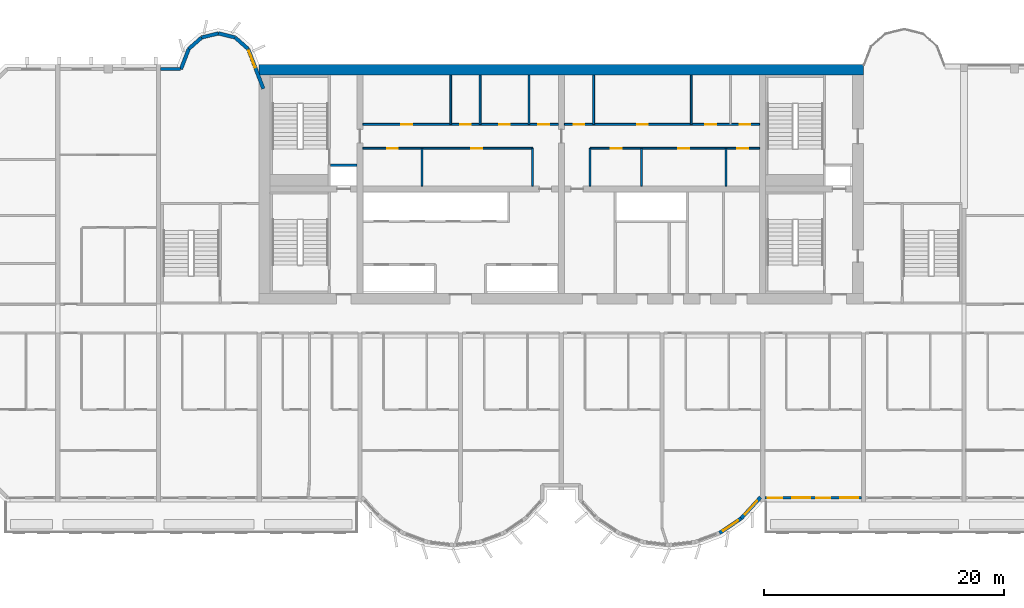
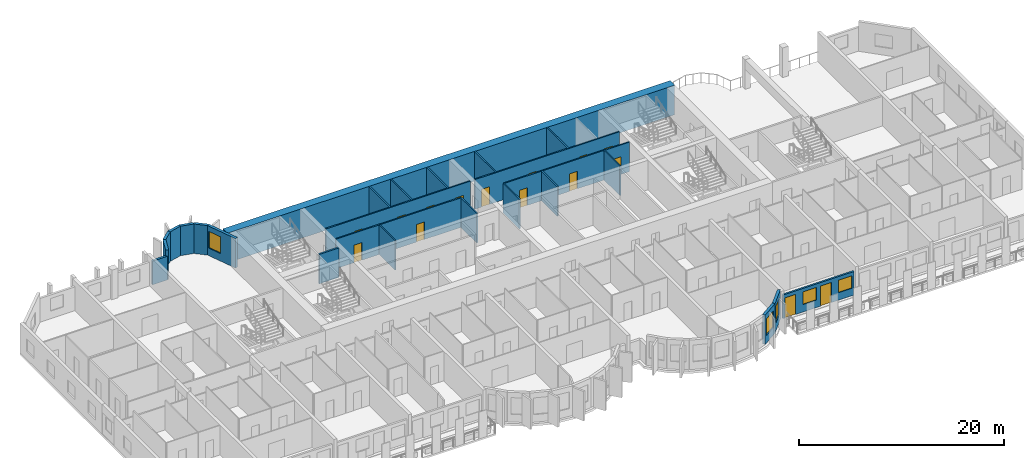
# One storey, part 8 of 15: 26 walls, 15 doors, 5 windows, 20 openings.
"""IFC4 building model written with IfcOpenShell, lengths in metres."""

from ifc_helpers import new_model, si_unit, direction, frame, frame_2d, origin, place, context, subcontext, project, spatial, rectangle, extrude, source, transform, mapped, material, layer, layer_set, type_object, element, fill, save


model = new_model("IFC4")

# Units and contexts
model_context = context("Model", 3, precision=1e-05, world=origin(), true_north=direction((0.0, 1.0)))
body_context = subcontext(model_context, "Body", "Model", "MODEL_VIEW")
ifc_project = project(units=[si_unit("LENGTHUNIT", "METRE"), si_unit("AREAUNIT", "SQUARE_METRE"), si_unit("VOLUMEUNIT", "CUBIC_METRE"), si_unit("PLANEANGLEUNIT", "RADIAN"), si_unit("MASSUNIT", "GRAM", prefix="KILO")], contexts=[model_context])

# Site, building, storey
site_placement = place(None, origin())
site = spatial("IfcSite", under=ifc_project, at=site_placement, CompositionType="ELEMENT")
building_placement = place(site_placement, origin())
building = spatial("IfcBuilding", under=site, at=building_placement, Name="Vanashikhar Sky Hotel", CompositionType="ELEMENT")
storey_placement = place(building_placement, frame((0.0, 0.0, 137.0)))
storey = spatial("IfcBuildingStorey", under=building, at=storey_placement, Name="L33", CompositionType="ELEMENT", Elevation=137.0)

# Wall
ifc_material_1 = material(Name="Concrete M70", Category="concrete")
ifc_layer_1 = layer(ifc_material_1, 0.89990234375)
ifc_layer_set_1 = layer_set([ifc_layer_1], Name="RC core shell wall 900 Concrete M70")
wall_type_1 = type_object("IfcWallType", Name="RC core shell wall 900 Concrete M70", PredefinedType="SHEAR", material=ifc_layer_set_1)
shared_shape_1 = source(origin(), body_context, "Body", "SweptSolid", [
    extrude(rectangle(XDim=50.400146484375, YDim=0.89990234375, at=frame_2d((25.2001953125, 0.0))), origin(), (0.0, 0.0, 1.0), 3.52001953125),
])
wall_1_placement = place(storey_placement, frame((25.199951171875, 41.550048828125, 0.0), z_axis=(0.0, 0.0, 1.0), x_axis=(1.0, 0.0, 0.0)))
element("IfcWall", 1, at=wall_1_placement, inside=storey, type_object=wall_type_1, Name="KW-L33-KN", PredefinedType="SHEAR", context=body_context, shape_type="MappedRepresentation", body=[
    mapped(shared_shape_1, transform((0.0, 0.0, 0.0), scale=1.0)),
])

# Wall, opening, window
ifc_material_2 = material(Name="Concrete M50", Category="concrete")
ifc_layer_2 = layer(ifc_material_2, 0.300048828125)
ifc_layer_set_2 = layer_set([ifc_layer_2], Name="Lobe wall 300")
wall_type_2 = type_object("IfcWallType", Name="Lobe wall 300", PredefinedType="SOLIDWALL", material=ifc_layer_set_2)
shared_shape_2 = source(origin(), body_context, "Body", "SweptSolid", [
    extrude(rectangle(XDim=2.398193359375, YDim=0.300048828125, at=frame_2d((1.19921875, 0.0))), origin(), (0.0, 0.0, 1.0), 3.52001953125),
])
wall_2_placement = place(storey_placement, frame((65.404296875, 4.13134765625, 0.0), z_axis=(0.0, 0.0, 1.0), x_axis=(0.675374189419, 0.737475222815, 0.0)))
wall_2 = element("IfcWall", 2, at=wall_2_placement, inside=storey, type_object=wall_type_2, Name="Lobe wall", PredefinedType="SOLIDWALL", context=body_context, shape_type="MappedRepresentation", body=[
    mapped(shared_shape_2, transform((0.0, 0.0, 0.0), scale=1.0)),
])
shared_shape_3 = source(origin(), body_context, "Body", "SweptSolid", [
    extrude(rectangle(XDim=1.5, YDim=2.0, at=frame_2d((0.75, 1.0))), frame((0.0, 0.16015625, 0.0), z_axis=(0.0, -1.0, 0.0), x_axis=(1.0, 0.0, 0.0)), (0.0, 0.0, 1.0), 0.320068359375),
])
opening_1_placement = place(wall_2_placement, frame((0.44921875, 0.0, 0.89990234375)))
opening_1 = element("IfcOpeningElement", 3, at=opening_1_placement, cuts=wall_2, Name="Opening WN-2", PredefinedType="OPENING", context=body_context, shape_type="MappedRepresentation", body=[
    mapped(shared_shape_3, transform((0.0, 0.0, 0.0), scale=1.0)),
])
ifc_material_3 = material(Name="Glass", Category="glass")
window_type_1 = type_object("IfcWindowType", Name="Lobe window 1500 x 2000", PartitioningType="SINGLE_PANEL", PredefinedType="WINDOW", material=ifc_material_3)
shared_shape_4 = source(origin(), body_context, "Body", "SweptSolid", [
    extrude(rectangle(XDim=1.5, YDim=2.0, at=frame_2d((0.75, 1.0))), frame((0.0, 0.030029296875, 0.0), z_axis=(0.0, -1.0, 0.0), x_axis=(1.0, 0.0, 0.0)), (0.0, 0.0, 1.0), 0.06005859375),
])
window_1_placement = place(opening_1_placement, origin())
window_1 = element("IfcWindow", 4, at=window_1_placement, inside=storey, type_object=window_type_1, Name="Window WN-2", OverallHeight=2.0, OverallWidth=1.5, PartitioningType="SINGLE_PANEL", PredefinedType="WINDOW", context=body_context, shape_type="MappedRepresentation", body=[
    mapped(shared_shape_4, transform((0.0, 0.0, 0.0), scale=1.0)),
])
fill(opening_1, window_1)

shared_shape_5 = source(origin(), body_context, "Body", "SweptSolid", [
    extrude(rectangle(XDim=2.17578125, YDim=0.300048828125, at=frame_2d((1.087890625, 0.0))), origin(), (0.0, 0.0, 1.0), 3.52001953125),
])
wall_3_placement = place(storey_placement, frame((63.59912109375, 2.91650390625, 0.0), z_axis=(0.0, 0.0, 1.0), x_axis=(0.829625727223, 0.558319937607, 0.0)))
wall_3 = element("IfcWall", 5, at=wall_3_placement, inside=storey, type_object=wall_type_2, Name="Lobe wall", PredefinedType="SOLIDWALL", context=body_context, shape_type="MappedRepresentation", body=[
    mapped(shared_shape_5, transform((0.0, 0.0, 0.0), scale=1.0)),
])
opening_2_placement = place(wall_3_placement, frame((0.337890625, 0.0, 0.89990234375)))
opening_2 = element("IfcOpeningElement", 6, at=opening_2_placement, cuts=wall_3, Name="Opening WN-2", PredefinedType="OPENING", context=body_context, shape_type="MappedRepresentation", body=[
    mapped(shared_shape_3, transform((0.0, 0.0, 0.0), scale=1.0)),
])
window_2_placement = place(opening_2_placement, origin())
window_2 = element("IfcWindow", 7, at=window_2_placement, inside=storey, type_object=window_type_1, Name="Window WN-2", OverallHeight=2.0, OverallWidth=1.5, PartitioningType="SINGLE_PANEL", PredefinedType="WINDOW", context=body_context, shape_type="MappedRepresentation", body=[
    mapped(shared_shape_4, transform((0.0, 0.0, 0.0), scale=1.0)),
])
fill(opening_2, window_2)

shared_shape_6 = source(origin(), body_context, "Body", "SweptSolid", [
    extrude(rectangle(XDim=3.55908203125, YDim=0.300048828125, at=frame_2d((1.779541015625, 0.0))), origin(), (0.0, 0.0, 1.0), 3.52001953125),
])
wall_4_placement = place(storey_placement, frame((25.550048828125, 39.968505859375, 0.0), z_axis=(0.0, 0.0, 1.0), x_axis=(-0.35779745313, 0.933799219604, 0.0)))
wall_4 = element("IfcWall", 8, at=wall_4_placement, inside=storey, type_object=wall_type_2, Name="Lobe wall", PredefinedType="SOLIDWALL", context=body_context, shape_type="MappedRepresentation", body=[
    mapped(shared_shape_6, transform((0.0, 0.0, 0.0), scale=1.0)),
])
opening_3_placement = place(wall_4_placement, frame((1.9033203125, 0.0, 0.89990234375)))
opening_3 = element("IfcOpeningElement", 9, at=opening_3_placement, cuts=wall_4, Name="Opening WN-2", PredefinedType="OPENING", context=body_context, shape_type="MappedRepresentation", body=[
    mapped(shared_shape_3, transform((0.0, 0.0, 0.0), scale=1.0)),
])
window_3_placement = place(opening_3_placement, origin())
window_3 = element("IfcWindow", 10, at=window_3_placement, inside=storey, type_object=window_type_1, Name="Window WN-2", OverallHeight=2.0, OverallWidth=1.5, PartitioningType="SINGLE_PANEL", PredefinedType="WINDOW", context=body_context, shape_type="MappedRepresentation", body=[
    mapped(shared_shape_4, transform((0.0, 0.0, 0.0), scale=1.0)),
])
fill(opening_3, window_3)

# Walls
shared_shape_7 = source(origin(), body_context, "Body", "SweptSolid", [
    extrude(rectangle(XDim=1.440185546875, YDim=0.300048828125, at=frame_2d((0.72021484375, 0.0))), origin(), (0.0, 0.0, 1.0), 3.52001953125),
])
wall_5_placement = place(storey_placement, frame((24.276611328125, 43.2919921875, 0.0), z_axis=(0.0, 0.0, 1.0), x_axis=(-0.749649827867, 0.661834673902, 0.0)))
element("IfcWall", 11, at=wall_5_placement, inside=storey, type_object=wall_type_2, Name="Lobe wall", PredefinedType="SOLIDWALL", context=body_context, shape_type="MappedRepresentation", body=[
    mapped(shared_shape_7, transform((0.0, 0.0, 0.0), scale=1.0)),
])
shared_shape_8 = source(origin(), body_context, "Body", "SweptSolid", [
    extrude(rectangle(XDim=1.4384765625, YDim=0.300048828125, at=frame_2d((0.71923828125, 0.0))), origin(), (0.0, 0.0, 1.0), 3.52001953125),
])
wall_6_placement = place(storey_placement, frame((23.197021484375, 44.2451171875, 0.0), z_axis=(0.0, 0.0, 1.0), x_axis=(-0.971152283879, 0.238460146601, 0.0)))
element("IfcWall", 12, at=wall_6_placement, inside=storey, type_object=wall_type_2, Name="Lobe wall", PredefinedType="SOLIDWALL", context=body_context, shape_type="MappedRepresentation", body=[
    mapped(shared_shape_8, transform((0.0, 0.0, 0.0), scale=1.0)),
])
shared_shape_9 = source(origin(), body_context, "Body", "SweptSolid", [
    extrude(rectangle(XDim=1.438720703125, YDim=0.300048828125, at=frame_2d((0.71923828125, 0.0))), origin(), (0.0, 0.0, 1.0), 3.52001953125),
])
wall_7_placement = place(storey_placement, frame((21.800048828125, 44.588134765625, 0.0), z_axis=(0.0, 0.0, 1.0), x_axis=(-0.971161932466, -0.238420848351, 0.0)))
element("IfcWall", 13, at=wall_7_placement, inside=storey, type_object=wall_type_2, Name="Lobe wall", PredefinedType="SOLIDWALL", context=body_context, shape_type="MappedRepresentation", body=[
    mapped(shared_shape_9, transform((0.0, 0.0, 0.0), scale=1.0)),
])
shared_shape_10 = source(origin(), body_context, "Body", "SweptSolid", [
    extrude(rectangle(XDim=1.43994140625, YDim=0.300048828125, at=frame_2d((0.719970703125, 0.0))), origin(), (0.0, 0.0, 1.0), 3.52001953125),
])
wall_8_placement = place(storey_placement, frame((20.40283203125, 44.2451171875, 0.0), z_axis=(0.0, 0.0, 1.0), x_axis=(-0.74957555648, -0.661918790432, 0.0)))
element("IfcWall", 14, at=wall_8_placement, inside=storey, type_object=wall_type_2, Name="Lobe wall", PredefinedType="SOLIDWALL", context=body_context, shape_type="MappedRepresentation", body=[
    mapped(shared_shape_10, transform((0.0, 0.0, 0.0), scale=1.0)),
])
shared_shape_11 = source(origin(), body_context, "Body", "SweptSolid", [
    extrude(rectangle(XDim=1.81201171875, YDim=0.300048828125, at=frame_2d((0.906005859375, 0.0))), origin(), (0.0, 0.0, 1.0), 3.52001953125),
])
wall_9_placement = place(storey_placement, frame((19.323486328125, 43.2919921875, 0.0), z_axis=(0.0, 0.0, 1.0), x_axis=(-0.357877270961, -0.93376863244, 0.0)))
element("IfcWall", 15, at=wall_9_placement, inside=storey, type_object=wall_type_2, Name="Lobe wall", PredefinedType="SOLIDWALL", context=body_context, shape_type="MappedRepresentation", body=[
    mapped(shared_shape_11, transform((0.0, 0.0, 0.0), scale=1.0)),
])

# Wall, openings, windows, doors
ifc_layer_3 = layer(ifc_material_2, 0.199951171875)
ifc_layer_set_3 = layer_set([ifc_layer_3], Name="Front window wall 200")
wall_type_3 = type_object("IfcWallType", Name="Front window wall 200", PredefinedType="SOLIDWALL", material=ifc_layer_set_3)
shared_shape_12 = source(origin(), body_context, "Body", "SweptSolid", [
    extrude(rectangle(XDim=8.050048828125, YDim=0.199951171875, at=frame_2d((4.02490234375, 0.0))), origin(), (0.0, 0.0, 1.0), 2.820068359375),
])
wall_10_placement = place(storey_placement, frame((67.375, 5.85009765625, 0.0), z_axis=(0.0, 0.0, 1.0), x_axis=(1.0, 0.0, 0.0)))
wall_10 = element("IfcWall", 16, at=wall_10_placement, inside=storey, type_object=wall_type_3, Name="Front window wall", PredefinedType="SOLIDWALL", context=body_context, shape_type="MappedRepresentation", body=[
    mapped(shared_shape_12, transform((0.0, 0.0, 0.0), scale=1.0)),
])
shared_shape_13 = source(origin(), body_context, "Body", "SweptSolid", [
    extrude(rectangle(XDim=1.199951171875, YDim=2.39990234375, at=frame_2d((0.60009765625, 1.199951171875))), frame((0.0, 0.10986328125, 0.0), z_axis=(0.0, -1.0, 0.0), x_axis=(1.0, 0.0, 0.0)), (0.0, 0.0, 1.0), 0.219970703125),
])
opening_4_placement = place(wall_10_placement, frame((0.25, 0.0, 0.0)))
opening_4 = element("IfcOpeningElement", 17, at=opening_4_placement, cuts=wall_10, Name="Opening BD-08", PredefinedType="OPENING", context=body_context, shape_type="MappedRepresentation", body=[
    mapped(shared_shape_13, transform((0.0, 0.0, 0.0), scale=1.0)),
])
shared_shape_14 = source(origin(), body_context, "Body", "SweptSolid", [
    extrude(rectangle(XDim=1.5, YDim=1.5, at=frame_2d((0.75, 0.75))), frame((0.0, 0.10986328125, 0.0), z_axis=(0.0, -1.0, 0.0), x_axis=(1.0, 0.0, 0.0)), (0.0, 0.0, 1.0), 0.219970703125),
])
opening_5_placement = place(wall_10_placement, frame((2.27490234375, 0.0, 0.89990234375)))
opening_5 = element("IfcOpeningElement", 18, at=opening_5_placement, cuts=wall_10, Name="Opening WN-1", PredefinedType="OPENING", context=body_context, shape_type="MappedRepresentation", body=[
    mapped(shared_shape_14, transform((0.0, 0.0, 0.0), scale=1.0)),
])
opening_6_placement = place(wall_10_placement, frame((4.27490234375, 0.0, 0.0)))
opening_6 = element("IfcOpeningElement", 19, at=opening_6_placement, cuts=wall_10, Name="Opening BD-09", PredefinedType="OPENING", context=body_context, shape_type="MappedRepresentation", body=[
    mapped(shared_shape_13, transform((0.0, 0.0, 0.0), scale=1.0)),
])
opening_7_placement = place(wall_10_placement, frame((6.300048828125, 0.0, 0.89990234375)))
opening_7 = element("IfcOpeningElement", 20, at=opening_7_placement, cuts=wall_10, Name="Opening WN-1", PredefinedType="OPENING", context=body_context, shape_type="MappedRepresentation", body=[
    mapped(shared_shape_14, transform((0.0, 0.0, 0.0), scale=1.0)),
])
window_type_2 = type_object("IfcWindowType", Name="Window 1500 x 1500", PartitioningType="SINGLE_PANEL", PredefinedType="WINDOW", material=ifc_material_3)
shared_shape_15 = source(origin(), body_context, "Body", "SweptSolid", [
    extrude(rectangle(XDim=1.5, YDim=1.5, at=frame_2d((0.75, 0.75))), frame((0.0, 0.030029296875, 0.0), z_axis=(0.0, -1.0, 0.0), x_axis=(1.0, 0.0, 0.0)), (0.0, 0.0, 1.0), 0.06005859375),
])
window_4_placement = place(opening_5_placement, origin())
window_4 = element("IfcWindow", 21, at=window_4_placement, inside=storey, type_object=window_type_2, Name="Window WN-1", OverallHeight=1.5, OverallWidth=1.5, PartitioningType="SINGLE_PANEL", PredefinedType="WINDOW", context=body_context, shape_type="MappedRepresentation", body=[
    mapped(shared_shape_15, transform((0.0, 0.0, 0.0), scale=1.0)),
])
fill(opening_5, window_4)
window_5_placement = place(opening_7_placement, origin())
window_5 = element("IfcWindow", 22, at=window_5_placement, inside=storey, type_object=window_type_2, Name="Window WN-1", OverallHeight=1.5, OverallWidth=1.5, PartitioningType="SINGLE_PANEL", PredefinedType="WINDOW", context=body_context, shape_type="MappedRepresentation", body=[
    mapped(shared_shape_15, transform((0.0, 0.0, 0.0), scale=1.0)),
])
fill(opening_7, window_5)
ifc_material_4 = material(Name="Aluminium", Category="aluminium")
door_type_1 = type_object("IfcDoorType", Name="Balcony sliding door 1200 x 2400", OperationType="NOTDEFINED", PredefinedType="DOOR", material=ifc_material_4)
shared_shape_16 = source(origin(), body_context, "Body", "SweptSolid", [
    extrude(rectangle(XDim=1.199951171875, YDim=2.39990234375, at=frame_2d((0.60009765625, 1.199951171875))), frame((0.0, 0.02490234375, 0.0), z_axis=(0.0, -1.0, 0.0), x_axis=(1.0, 0.0, 0.0)), (0.0, 0.0, 1.0), 0.050048828125),
])
door_1_placement = place(opening_4_placement, origin())
door_1 = element("IfcDoor", 23, at=door_1_placement, inside=storey, type_object=door_type_1, Name="Balcony sliding door", OperationType="SLIDING_TO_RIGHT", OverallHeight=2.39990234375, OverallWidth=1.199951171875, PredefinedType="DOOR", context=body_context, shape_type="MappedRepresentation", body=[
    mapped(shared_shape_16, transform((0.0, 0.0, 0.0), scale=1.0)),
])
fill(opening_4, door_1)
door_2_placement = place(opening_6_placement, origin())
door_2 = element("IfcDoor", 24, at=door_2_placement, inside=storey, type_object=door_type_1, Name="Balcony sliding door", OperationType="SLIDING_TO_LEFT", OverallHeight=2.39990234375, OverallWidth=1.199951171875, PredefinedType="DOOR", context=body_context, shape_type="MappedRepresentation", body=[
    mapped(shared_shape_16, transform((0.0, 0.0, 0.0), scale=1.0)),
])
fill(opening_6, door_2)

# Walls
ifc_layer_4 = layer(ifc_material_2, 0.25)
ifc_layer_set_4 = layer_set([ifc_layer_4], Name="Rear and end board-marked wall 250")
wall_type_4 = type_object("IfcWallType", Name="Rear and end board-marked wall 250", PredefinedType="SOLIDWALL", material=ifc_layer_set_4)
shared_shape_17 = source(origin(), body_context, "Body", "SweptSolid", [
    extrude(rectangle(XDim=1.682861328125, YDim=0.25, at=frame_2d((0.84130859375, 0.0))), origin(), (0.0, 0.0, 1.0), 2.820068359375),
])
wall_11_placement = place(storey_placement, frame((18.657958984375, 41.625, 0.0), z_axis=(0.0, 0.0, 1.0), x_axis=(-1.0, 0.0, 0.0)))
element("IfcWall", 25, at=wall_11_placement, inside=storey, type_object=wall_type_4, Name="Rear board-marked wall", PredefinedType="SOLIDWALL", context=body_context, shape_type="MappedRepresentation", body=[
    mapped(shared_shape_17, transform((0.0, 0.0, 0.0), scale=1.0)),
])
ifc_material_5 = material(Name="Gypsum board partition")
ifc_layer_5 = layer(ifc_material_5, 0.14990234375)
ifc_layer_set_5 = layer_set([ifc_layer_5], Name="Service partition 150")
wall_type_5 = type_object("IfcWallType", Name="Service partition 150", PredefinedType="PARTITIONING", material=ifc_layer_set_5)
shared_shape_18 = source(origin(), body_context, "Body", "SweptSolid", [
    extrude(rectangle(XDim=3.14990234375, YDim=0.14990234375, at=frame_2d((1.574951171875, 0.0))), origin(), (0.0, 0.0, 1.0), 3.52001953125),
])
for number, where, z_axis, x_axis, name in (
    (26, (48.0, 31.85009765625, 0.0), (0.0, 0.0, 1.0), (0.0, 1.0, 0.0), "Service partition 150"),
    (27, (38.77587890625, 31.85009765625, 0.0), (0.0, 0.0, 1.0), (0.0, 1.0, 0.0), "Service partition 150"),
    (28, (52.800048828125, 31.85009765625, 0.0), (0.0, 0.0, 1.0), (0.0, 1.0, 0.0), "Service partition 150"),
    (29, (64.135009765625, 31.85009765625, 0.0), (0.0, 0.0, 1.0), (0.0, 1.0, 0.0), "Service partition 150"),
    (30, (57.096923828125, 31.85009765625, 0.0), (0.0, 0.0, 1.0), (0.0, 1.0, 0.0), "Service partition 150"),
):
    element("IfcWall", number, at=place(storey_placement, frame(where, z_axis=z_axis, x_axis=x_axis)), inside=storey, type_object=wall_type_5, Name=name, PredefinedType="PARTITIONING", context=body_context, shape_type="MappedRepresentation", body=[
        mapped(shared_shape_18, transform((0.0, 0.0, 0.0), scale=1.0)),
    ])

# Wall, openings, doors
shared_shape_19 = source(origin(), body_context, "Body", "SweptSolid", [
    extrude(rectangle(XDim=14.14990234375, YDim=0.14990234375, at=frame_2d((7.074951171875, 0.0))), origin(), (0.0, 0.0, 1.0), 3.52001953125),
])
wall_12_placement = place(storey_placement, frame((33.85009765625, 35.0, 0.0), z_axis=(0.0, 0.0, 1.0), x_axis=(1.0, 0.0, 0.0)))
wall_12 = element("IfcWall", 31, at=wall_12_placement, inside=storey, type_object=wall_type_5, Name="Service partition 150", PredefinedType="PARTITIONING", context=body_context, shape_type="MappedRepresentation", body=[
    mapped(shared_shape_19, transform((0.0, 0.0, 0.0), scale=1.0)),
])
shared_shape_20 = source(origin(), body_context, "Body", "SweptSolid", [
    extrude(rectangle(XDim=0.89990234375, YDim=2.10009765625, at=frame_2d((0.449951171875, 1.050048828125))), frame((0.0, 0.0849609375, 0.0), z_axis=(0.0, -1.0, 0.0), x_axis=(1.0, 0.0, 0.0)), (0.0, 0.0, 1.0), 0.169921875),
])
opening_8_placement = place(wall_12_placement, frame((2.012939453125, 0.0, 0.0)))
opening_8 = element("IfcOpeningElement", 32, at=opening_8_placement, cuts=wall_12, Name="Opening DC-4-A", PredefinedType="OPENING", context=body_context, shape_type="MappedRepresentation", body=[
    mapped(shared_shape_20, transform((0.0, 0.0, 0.0), scale=1.0)),
])
opening_9_placement = place(wall_12_placement, frame((9.051025390625, 0.0, 0.0)))
opening_9 = element("IfcOpeningElement", 33, at=opening_9_placement, cuts=wall_12, Name="Opening DC-4-A", PredefinedType="OPENING", context=body_context, shape_type="MappedRepresentation", body=[
    mapped(shared_shape_20, transform((0.0, 0.0, 0.0), scale=1.0)),
])
ifc_material_6 = material(Name="Steel", Category="steel")
door_type_2 = type_object("IfcDoorType", Name="Service door 900 FD60", OperationType="NOTDEFINED", PredefinedType="DOOR", material=ifc_material_6)
shared_shape_21 = source(origin(), body_context, "Body", "SweptSolid", [
    extrude(rectangle(XDim=0.89990234375, YDim=2.10009765625, at=frame_2d((0.449951171875, 1.050048828125))), frame((0.0, 0.02490234375, 0.0), z_axis=(0.0, -1.0, 0.0), x_axis=(1.0, 0.0, 0.0)), (0.0, 0.0, 1.0), 0.050048828125),
])
door_3_placement = place(opening_8_placement, origin())
door_3 = element("IfcDoor", 34, at=door_3_placement, inside=storey, type_object=door_type_2, Name="Service door 900 FD60", OperationType="SINGLE_SWING_RIGHT", OverallHeight=2.10009765625, OverallWidth=0.89990234375, PredefinedType="DOOR", context=body_context, shape_type="MappedRepresentation", body=[
    mapped(shared_shape_21, transform((0.0, 0.0, 0.0), scale=1.0)),
])
fill(opening_8, door_3)
door_4_placement = place(opening_9_placement, origin())
door_4 = element("IfcDoor", 35, at=door_4_placement, inside=storey, type_object=door_type_2, Name="Service door 900 FD60", OperationType="SINGLE_SWING_RIGHT", OverallHeight=2.10009765625, OverallWidth=0.89990234375, PredefinedType="DOOR", context=body_context, shape_type="MappedRepresentation", body=[
    mapped(shared_shape_21, transform((0.0, 0.0, 0.0), scale=1.0)),
])
fill(opening_9, door_4)

wall_13_placement = place(storey_placement, frame((66.949951171875, 35.0, 0.0), z_axis=(0.0, 0.0, 1.0), x_axis=(-1.0, 0.0, 0.0)))
wall_13 = element("IfcWall", 36, at=wall_13_placement, inside=storey, type_object=wall_type_5, Name="Service partition 150", PredefinedType="PARTITIONING", context=body_context, shape_type="MappedRepresentation", body=[
    mapped(shared_shape_19, transform((0.0, 0.0, 0.0), scale=1.0)),
])
opening_10_placement = place(wall_13_placement, frame((0.9580078125, 0.0, 0.0)))
opening_10 = element("IfcOpeningElement", 37, at=opening_10_placement, cuts=wall_13, Name="Opening DC-4-A", PredefinedType="OPENING", context=body_context, shape_type="MappedRepresentation", body=[
    mapped(shared_shape_20, transform((0.0, 0.0, 0.0), scale=1.0)),
])
opening_11_placement = place(wall_13_placement, frame((5.884033203125, 0.0, 0.0)))
opening_11 = element("IfcOpeningElement", 38, at=opening_11_placement, cuts=wall_13, Name="Opening DC-4-A", PredefinedType="OPENING", context=body_context, shape_type="MappedRepresentation", body=[
    mapped(shared_shape_20, transform((0.0, 0.0, 0.0), scale=1.0)),
])
opening_12_placement = place(wall_13_placement, frame((11.513916015625, 0.0, 0.0)))
opening_12 = element("IfcOpeningElement", 39, at=opening_12_placement, cuts=wall_13, Name="Opening DC-4-A", PredefinedType="OPENING", context=body_context, shape_type="MappedRepresentation", body=[
    mapped(shared_shape_20, transform((0.0, 0.0, 0.0), scale=1.0)),
])
door_5_placement = place(opening_10_placement, origin())
door_5 = element("IfcDoor", 40, at=door_5_placement, inside=storey, type_object=door_type_2, Name="Service door 900 FD60", OperationType="SINGLE_SWING_RIGHT", OverallHeight=2.10009765625, OverallWidth=0.89990234375, PredefinedType="DOOR", context=body_context, shape_type="MappedRepresentation", body=[
    mapped(shared_shape_21, transform((0.0, 0.0, 0.0), scale=1.0)),
])
fill(opening_10, door_5)
door_6_placement = place(opening_11_placement, origin())
door_6 = element("IfcDoor", 41, at=door_6_placement, inside=storey, type_object=door_type_2, Name="Service door 900 FD60", OperationType="SINGLE_SWING_RIGHT", OverallHeight=2.10009765625, OverallWidth=0.89990234375, PredefinedType="DOOR", context=body_context, shape_type="MappedRepresentation", body=[
    mapped(shared_shape_21, transform((0.0, 0.0, 0.0), scale=1.0)),
])
fill(opening_11, door_6)
door_7_placement = place(opening_12_placement, origin())
door_7 = element("IfcDoor", 42, at=door_7_placement, inside=storey, type_object=door_type_2, Name="Service door 900 FD60", OperationType="SINGLE_SWING_LEFT", OverallHeight=2.10009765625, OverallWidth=0.89990234375, PredefinedType="DOOR", context=body_context, shape_type="MappedRepresentation", body=[
    mapped(shared_shape_21, transform((0.0, 0.0, 0.0), scale=1.0)),
])
fill(opening_12, door_7)

shared_shape_22 = source(origin(), body_context, "Body", "SweptSolid", [
    extrude(rectangle(XDim=16.2998046875, YDim=0.14990234375, at=frame_2d((8.14990234375, 0.0))), origin(), (0.0, 0.0, 1.0), 3.52001953125),
])
wall_14_placement = place(storey_placement, frame((33.85009765625, 37.0, 0.0), z_axis=(0.0, 0.0, 1.0), x_axis=(1.0, 0.0, 0.0)))
wall_14 = element("IfcWall", 43, at=wall_14_placement, inside=storey, type_object=wall_type_5, Name="Service partition 150", PredefinedType="PARTITIONING", context=body_context, shape_type="MappedRepresentation", body=[
    mapped(shared_shape_22, transform((0.0, 0.0, 0.0), scale=1.0)),
])
opening_13_placement = place(wall_14_placement, frame((3.217041015625, 0.0, 0.0)))
opening_13 = element("IfcOpeningElement", 44, at=opening_13_placement, cuts=wall_14, Name="Opening DC-4-A", PredefinedType="OPENING", context=body_context, shape_type="MappedRepresentation", body=[
    mapped(shared_shape_20, transform((0.0, 0.0, 0.0), scale=1.0)),
])
opening_14_placement = place(wall_14_placement, frame((8.10693359375, 0.0, 0.0)))
opening_14 = element("IfcOpeningElement", 45, at=opening_14_placement, cuts=wall_14, Name="Opening DC-4-A", PredefinedType="OPENING", context=body_context, shape_type="MappedRepresentation", body=[
    mapped(shared_shape_20, transform((0.0, 0.0, 0.0), scale=1.0)),
])
opening_15_placement = place(wall_14_placement, frame((11.367919921875, 0.0, 0.0)))
opening_15 = element("IfcOpeningElement", 46, at=opening_15_placement, cuts=wall_14, Name="Opening DC-4-A", PredefinedType="OPENING", context=body_context, shape_type="MappedRepresentation", body=[
    mapped(shared_shape_20, transform((0.0, 0.0, 0.0), scale=1.0)),
])
opening_16_placement = place(wall_14_placement, frame((14.626953125, 0.0, 0.0)))
opening_16 = element("IfcOpeningElement", 47, at=opening_16_placement, cuts=wall_14, Name="Opening DC-4-A", PredefinedType="OPENING", context=body_context, shape_type="MappedRepresentation", body=[
    mapped(shared_shape_20, transform((0.0, 0.0, 0.0), scale=1.0)),
])
door_8_placement = place(opening_13_placement, origin())
door_8 = element("IfcDoor", 48, at=door_8_placement, inside=storey, type_object=door_type_2, Name="Service door 900 FD60", OperationType="SINGLE_SWING_RIGHT", OverallHeight=2.10009765625, OverallWidth=0.89990234375, PredefinedType="DOOR", context=body_context, shape_type="MappedRepresentation", body=[
    mapped(shared_shape_21, transform((0.0, 0.0, 0.0), scale=1.0)),
])
fill(opening_13, door_8)
door_9_placement = place(opening_14_placement, origin())
door_9 = element("IfcDoor", 49, at=door_9_placement, inside=storey, type_object=door_type_2, Name="Service door 900 FD60", OperationType="SINGLE_SWING_RIGHT", OverallHeight=2.10009765625, OverallWidth=0.89990234375, PredefinedType="DOOR", context=body_context, shape_type="MappedRepresentation", body=[
    mapped(shared_shape_21, transform((0.0, 0.0, 0.0), scale=1.0)),
])
fill(opening_14, door_9)
door_10_placement = place(opening_15_placement, origin())
door_10 = element("IfcDoor", 50, at=door_10_placement, inside=storey, type_object=door_type_2, Name="Service door 900 FD60", OperationType="SINGLE_SWING_RIGHT", OverallHeight=2.10009765625, OverallWidth=0.89990234375, PredefinedType="DOOR", context=body_context, shape_type="MappedRepresentation", body=[
    mapped(shared_shape_21, transform((0.0, 0.0, 0.0), scale=1.0)),
])
fill(opening_15, door_10)
door_11_placement = place(opening_16_placement, origin())
door_11 = element("IfcDoor", 51, at=door_11_placement, inside=storey, type_object=door_type_2, Name="Service door 900 FD60", OperationType="SINGLE_SWING_LEFT", OverallHeight=2.10009765625, OverallWidth=0.89990234375, PredefinedType="DOOR", context=body_context, shape_type="MappedRepresentation", body=[
    mapped(shared_shape_21, transform((0.0, 0.0, 0.0), scale=1.0)),
])
fill(opening_16, door_11)

# Walls
shared_shape_23 = source(origin(), body_context, "Body", "SweptSolid", [
    extrude(rectangle(XDim=4.10009765625, YDim=0.14990234375, at=frame_2d((2.050048828125, 0.0))), origin(), (0.0, 0.0, 1.0), 3.52001953125),
])
for number, where, z_axis, x_axis, name in (
    (52, (41.18505859375, 37.0, 0.0), (0.0, 0.0, 1.0), (0.0, 1.0, 0.0), "Service partition 150"),
    (53, (43.6298828125, 37.0, 0.0), (0.0, 0.0, 1.0), (0.0, 1.0, 0.0), "Service partition 150"),
    (54, (47.705078125, 37.0, 0.0), (0.0, 0.0, 1.0), (0.0, 1.0, 0.0), "Service partition 150"),
    (55, (61.2451171875, 37.0, 0.0), (0.0, 0.0, 1.0), (0.0, 1.0, 0.0), "Service partition 150"),
    (56, (53.094970703125, 37.0, 0.0), (0.0, 0.0, 1.0), (0.0, 1.0, 0.0), "Service partition 150"),
):
    element("IfcWall", number, at=place(storey_placement, frame(where, z_axis=z_axis, x_axis=x_axis)), inside=storey, type_object=wall_type_5, Name=name, PredefinedType="PARTITIONING", context=body_context, shape_type="MappedRepresentation", body=[
        mapped(shared_shape_23, transform((0.0, 0.0, 0.0), scale=1.0)),
    ])

# Wall, openings, doors
shared_shape_24 = source(origin(), body_context, "Body", "SweptSolid", [
    extrude(rectangle(XDim=16.300048828125, YDim=0.14990234375, at=frame_2d((8.14990234375, 0.0))), origin(), (0.0, 0.0, 1.0), 3.52001953125),
])
wall_15_placement = place(storey_placement, frame((66.949951171875, 37.0, 0.0), z_axis=(0.0, 0.0, 1.0), x_axis=(-1.0, 0.0, 0.0)))
wall_15 = element("IfcWall", 57, at=wall_15_placement, inside=storey, type_object=wall_type_5, Name="Service partition 150", PredefinedType="PARTITIONING", context=body_context, shape_type="MappedRepresentation", body=[
    mapped(shared_shape_24, transform((0.0, 0.0, 0.0), scale=1.0)),
])
opening_17_placement = place(wall_15_placement, frame((0.77294921875, 0.0, 0.0)))
opening_17 = element("IfcOpeningElement", 58, at=opening_17_placement, cuts=wall_15, Name="Opening DC-4-A", PredefinedType="OPENING", context=body_context, shape_type="MappedRepresentation", body=[
    mapped(shared_shape_20, transform((0.0, 0.0, 0.0), scale=1.0)),
])
opening_18_placement = place(wall_15_placement, frame((3.625, 0.0, 0.0)))
opening_18 = element("IfcOpeningElement", 59, at=opening_18_placement, cuts=wall_15, Name="Opening DC-4-A", PredefinedType="OPENING", context=body_context, shape_type="MappedRepresentation", body=[
    mapped(shared_shape_20, transform((0.0, 0.0, 0.0), scale=1.0)),
])
opening_19_placement = place(wall_15_placement, frame((9.330078125, 0.0, 0.0)))
opening_19 = element("IfcOpeningElement", 60, at=opening_19_placement, cuts=wall_15, Name="Opening DC-4-A", PredefinedType="OPENING", context=body_context, shape_type="MappedRepresentation", body=[
    mapped(shared_shape_20, transform((0.0, 0.0, 0.0), scale=1.0)),
])
opening_20_placement = place(wall_15_placement, frame((14.626953125, 0.0, 0.0)))
opening_20 = element("IfcOpeningElement", 61, at=opening_20_placement, cuts=wall_15, Name="Opening DC-4-A", PredefinedType="OPENING", context=body_context, shape_type="MappedRepresentation", body=[
    mapped(shared_shape_20, transform((0.0, 0.0, 0.0), scale=1.0)),
])
door_12_placement = place(opening_17_placement, origin())
door_12 = element("IfcDoor", 62, at=door_12_placement, inside=storey, type_object=door_type_2, Name="Service door 900 FD60", OperationType="SINGLE_SWING_LEFT", OverallHeight=2.10009765625, OverallWidth=0.89990234375, PredefinedType="DOOR", context=body_context, shape_type="MappedRepresentation", body=[
    mapped(shared_shape_21, transform((0.0, 0.0, 0.0), scale=1.0)),
])
fill(opening_17, door_12)
door_13_placement = place(opening_18_placement, origin())
door_13 = element("IfcDoor", 63, at=door_13_placement, inside=storey, type_object=door_type_2, Name="Service door 900 FD60", OperationType="SINGLE_SWING_RIGHT", OverallHeight=2.10009765625, OverallWidth=0.89990234375, PredefinedType="DOOR", context=body_context, shape_type="MappedRepresentation", body=[
    mapped(shared_shape_21, transform((0.0, 0.0, 0.0), scale=1.0)),
])
fill(opening_18, door_13)
door_14_placement = place(opening_19_placement, origin())
door_14 = element("IfcDoor", 64, at=door_14_placement, inside=storey, type_object=door_type_2, Name="Service door 900 FD60", OperationType="SINGLE_SWING_RIGHT", OverallHeight=2.10009765625, OverallWidth=0.89990234375, PredefinedType="DOOR", context=body_context, shape_type="MappedRepresentation", body=[
    mapped(shared_shape_21, transform((0.0, 0.0, 0.0), scale=1.0)),
])
fill(opening_19, door_14)
door_15_placement = place(opening_20_placement, origin())
door_15 = element("IfcDoor", 65, at=door_15_placement, inside=storey, type_object=door_type_2, Name="Service door 900 FD60", OperationType="SINGLE_SWING_RIGHT", OverallHeight=2.10009765625, OverallWidth=0.89990234375, PredefinedType="DOOR", context=body_context, shape_type="MappedRepresentation", body=[
    mapped(shared_shape_21, transform((0.0, 0.0, 0.0), scale=1.0)),
])
fill(opening_20, door_15)

# Wall
ifc_material_7 = material(Name="Concrete M40", Category="concrete")
ifc_layer_6 = layer(ifc_material_7, 0.199951171875)
ifc_layer_set_6 = layer_set([ifc_layer_6], Name="Shaft wall 200")
wall_type_6 = type_object("IfcWallType", Name="Shaft wall 200", PredefinedType="SOLIDWALL", material=ifc_layer_set_6)
shared_shape_25 = source(origin(), body_context, "Body", "SweptSolid", [
    extrude(rectangle(XDim=2.2001953125, YDim=0.199951171875, at=frame_2d((1.10009765625, 0.0))), origin(), (0.0, 0.0, 1.0), 3.52001953125),
])
wall_16_placement = place(storey_placement, frame((31.14990234375, 33.60009765625, 0.0), z_axis=(0.0, 0.0, 1.0), x_axis=(1.0, 0.0, 0.0)))
element("IfcWall", 66, at=wall_16_placement, inside=storey, type_object=wall_type_6, Name="Shaft wall 200", PredefinedType="SOLIDWALL", context=body_context, shape_type="MappedRepresentation", body=[
    mapped(shared_shape_25, transform((0.0, 0.0, 0.0), scale=1.0)),
])

save(model, "model.ifc")
